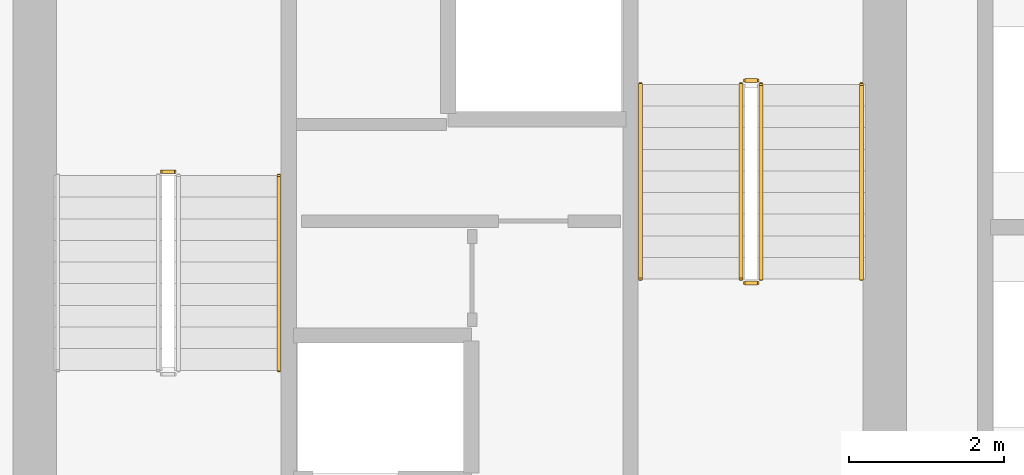
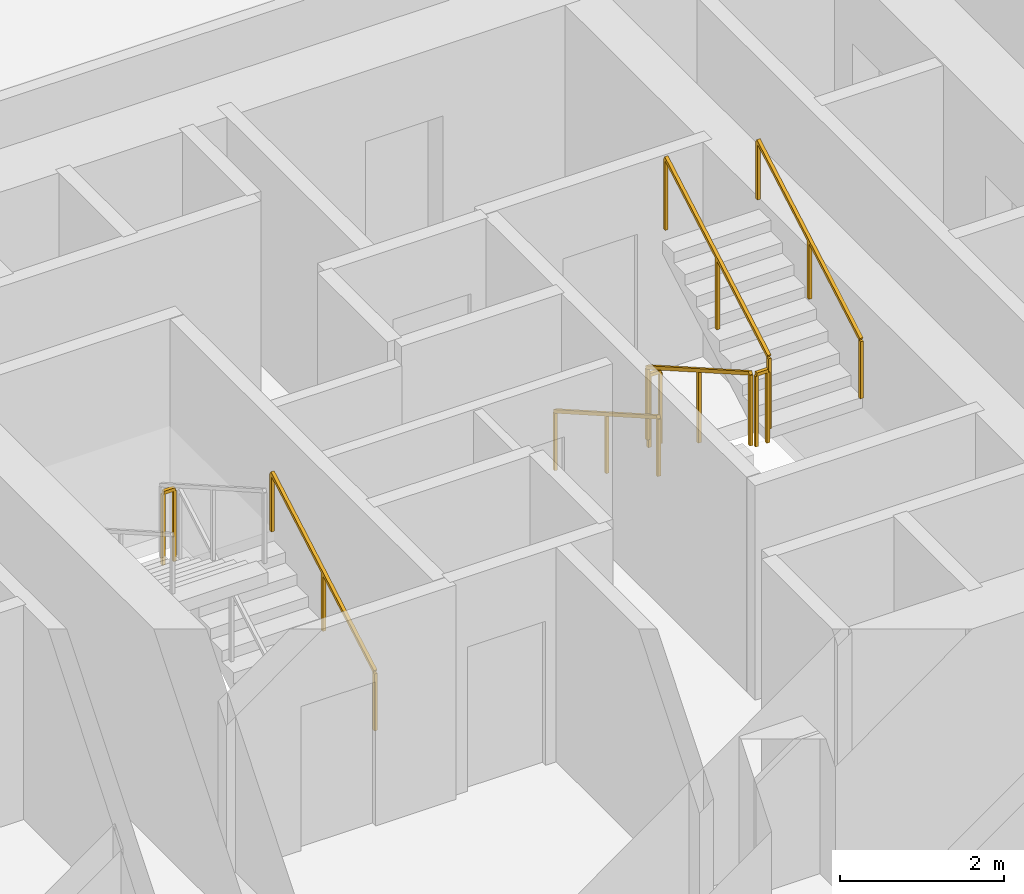
# One storey, part 12 of 13: 8 railings.
"""IFC4 building model written with IfcOpenShell, lengths in metres."""

import ifcopenshell
import ifcopenshell.guid

model = None  # the IFC model being written
_history = None  # IfcOwnerHistory: only IFC2X3 demands one
_inside = {}  # id of a spatial element -> (the spatial element, [elements in it])
_under = {}  # id of a project, library or spatial element -> (it, [spatial elements below it])
_declared = {}  # id of a project -> (the project, [libraries it declares])
_typed = {}  # id of a type object -> (the type object, [elements of that type])
_made_of = {}  # id of a material, layer set ... -> (it, [elements and type objects made of it])


def new_model(schema):
    """Start an empty IFC model of exactly this schema.

    Asked for "IFC4X3", IfcOpenShell would pick the latest addendum, in which some entities
    have other attributes; the version numbers below select the first issue.
    IFC2X3 requires an IfcOwnerHistory on every rooted entity: one is made here for all.
    """
    global model, _history
    if schema == "IFC4X3":
        model = ifcopenshell.file(schema_version=(4, 3, 0, 0))
    else:
        model = ifcopenshell.file(schema=schema)
    _inside.clear()
    _under.clear()
    _declared.clear()
    _typed.clear()
    _made_of.clear()
    _history = None
    if model.schema == "IFC2X3":
        org = make("IfcOrganization", Name="unknown")
        user = make(
            "IfcPersonAndOrganization",
            ThePerson=make("IfcPerson", FamilyName="unknown"),
            TheOrganization=org,
        )
        app = make(
            "IfcApplication",
            ApplicationDeveloper=org,
            Version="unknown",
            ApplicationFullName="unknown",
            ApplicationIdentifier="unknown",
        )
        _history = make(
            "IfcOwnerHistory",
            OwningUser=user,
            OwningApplication=app,
            ChangeAction="ADDED",
            CreationDate=0,
        )
    return model


def make(cls, **values):
    """One entity of the class cls with the attributes given. An attribute that is None is left unset."""
    return model.create_entity(
        cls, **{name: value for name, value in values.items() if value is not None}
    )


def rooted(cls, **values):
    """An entity with a GlobalId (a new one), such as an element, a storey or a relation."""
    return make(cls, GlobalId=ifcopenshell.guid.new(), OwnerHistory=_history, **values)


def si_unit(unit_type, name, prefix=None):
    """IfcSIUnit, for example si_unit("LENGTHUNIT", "METRE", prefix="MILLI")."""
    return make("IfcSIUnit", UnitType=unit_type, Prefix=prefix, Name=name)


def assignment(units):
    """IfcUnitAssignment: the units of a project."""
    return None if units is None else make("IfcUnitAssignment", Units=units)


def point(xyz):
    """IfcCartesianPoint."""
    return None if xyz is None else make("IfcCartesianPoint", Coordinates=xyz)


def direction(xyz):
    """IfcDirection."""
    return None if xyz is None else make("IfcDirection", DirectionRatios=xyz)


def frame(location, z_axis=None, x_axis=None):
    """IfcAxis2Placement3D, a coordinate frame: its origin and axes. An axis left out is left unset."""
    return make(
        "IfcAxis2Placement3D",
        Location=point(location),
        Axis=direction(z_axis),
        RefDirection=direction(x_axis),
    )


def frame_2d(location, x_axis=None):
    """IfcAxis2Placement2D, a coordinate frame in the plane: its origin and x axis."""
    return make(
        "IfcAxis2Placement2D", Location=point(location), RefDirection=direction(x_axis)
    )


def origin():
    """The frame at (0, 0, 0) with its axes left unset."""
    return frame((0.0, 0.0, 0.0))


def origin_2d():
    """The frame at (0, 0) in the plane with its x axis left unset."""
    return frame_2d((0.0, 0.0))


def place(relative_to, where):
    """IfcLocalPlacement: puts the frame where relative to a parent placement (None: the world)."""
    return make(
        "IfcLocalPlacement", PlacementRelTo=relative_to, RelativePlacement=where
    )


def context(
    kind, dimensions, precision=None, world=None, true_north=None, identifier=None
):
    """IfcGeometricRepresentationContext, for example the 3D "Model" context."""
    return make(
        "IfcGeometricRepresentationContext",
        ContextIdentifier=identifier,
        ContextType=kind,
        CoordinateSpaceDimension=dimensions,
        Precision=precision,
        WorldCoordinateSystem=world,
        TrueNorth=true_north,
    )


def subcontext(parent, identifier, kind, view, scale=None):
    """IfcGeometricRepresentationSubContext, for example "Body" below "Model"."""
    return make(
        "IfcGeometricRepresentationSubContext",
        ContextIdentifier=identifier,
        ContextType=kind,
        ParentContext=parent,
        TargetScale=scale,
        TargetView=view,
    )


def project(units=None, contexts=None):
    """IfcProject with its units and contexts."""
    return rooted(
        "IfcProject",
        Name="project",
        RepresentationContexts=contexts,
        UnitsInContext=assignment(units),
    )


def spatial(cls, under=None, at=None, **own):
    """A site, building, storey or space (cls), placed at a placement, below another one or the project."""
    s = rooted(cls, ObjectPlacement=at, **own)
    if under is not None:
        _under.setdefault(under.id(), (under, []))[1].append(s)
    return s


def profile(cls, at=None, kind="AREA", **sizes):
    """A parametric profile (cls). Its sizes go by their IFC names, for example OverallWidth=200.0."""
    return make(cls, ProfileType=kind, Position=at, **sizes)


def rectangle(**sizes):
    """IfcRectangleProfileDef."""
    return profile("IfcRectangleProfileDef", **sizes)


def extrude(swept, where, along, depth):
    """IfcExtrudedAreaSolid: the profile swept, set in the frame where, extruded along a direction by depth."""
    return make(
        "IfcExtrudedAreaSolid",
        SweptArea=swept,
        Position=where,
        ExtrudedDirection=direction(along),
        Depth=depth,
    )


def shape(context_of_items, identifier, shape_type, items):
    """IfcShapeRepresentation: the items that make up one representation, for example the "Body"."""
    return make(
        "IfcShapeRepresentation",
        ContextOfItems=context_of_items,
        RepresentationIdentifier=identifier,
        RepresentationType=shape_type,
        Items=items,
    )


def material(Name=None, Category=None):
    """IfcMaterial."""
    return make("IfcMaterial", Name=Name, Category=Category)


def made_of(thing, what):
    """Note that an element or type object is made of a material, layer set ...; save() writes the relation."""
    if what is not None:
        _made_of.setdefault(what.id(), (what, []))[1].append(thing)
    return thing


def type_object(cls, material=None, **own):
    """A type object (cls), such as IfcWallType, which elements share."""
    return made_of(rooted(cls, **own), material)


def element(
    cls,
    number,
    at=None,
    inside=None,
    cuts=None,
    type_object=None,
    material=None,
    context=None,
    identifier="Body",
    shape_type=None,
    held_by="IfcProductDefinitionShape",
    body=None,
    shapes=None,
    **own,
):
    """One element of the class cls, such as IfcWall. Its Tag is "e" and its number.

    at: its placement. inside: the storey or other place that contains it. cuts: it is an
    opening in that element (IfcRelVoidsElement). A single representation is given by context,
    identifier, shape_type and body (its items); several are given by shapes. held_by: the class
    of the entity that holds the representations. save() writes the other relations.
    """
    e = rooted(cls, Tag="e%d" % number, ObjectPlacement=at, **own)
    if body is not None:
        shapes = [shape(context, identifier, shape_type, body)]
    if shapes is not None:
        e.Representation = make(held_by, Representations=shapes)
    if inside is not None:
        _inside.setdefault(inside.id(), (inside, []))[1].append(e)
    if cuts is not None:
        rooted(
            "IfcRelVoidsElement", RelatingBuildingElement=cuts, RelatedOpeningElement=e
        )
    if type_object is not None:
        _typed.setdefault(type_object.id(), (type_object, []))[1].append(e)
    return made_of(e, material)


def aggregate(whole, parts):
    """IfcRelAggregates: a whole, such as a stair, and the parts it consists of."""
    return rooted("IfcRelAggregates", RelatingObject=whole, RelatedObjects=parts)


def save(model, path):
    """Write the relations noted so far, then the file.

    IfcRelAggregates (storeys below a building ...), IfcRelContainedInSpatialStructure (elements
    in a storey), IfcRelDefinesByType, IfcRelAssociatesMaterial and IfcRelDeclares: one each for
    every whole, place, type object, material and project.
    """
    for whole, parts in _under.values():
        aggregate(whole, parts)
    for where, things in _inside.values():
        rooted(
            "IfcRelContainedInSpatialStructure",
            RelatedElements=things,
            RelatingStructure=where,
        )
    for kind, things in _typed.values():
        rooted("IfcRelDefinesByType", RelatedObjects=things, RelatingType=kind)
    for what, things in _made_of.values():
        rooted("IfcRelAssociatesMaterial", RelatedObjects=things, RelatingMaterial=what)
    for by, libraries in _declared.values():
        rooted("IfcRelDeclares", RelatingContext=by, RelatedDefinitions=libraries)
    model.write(path)


model = new_model("IFC4")

# Units and contexts
model_context = context("Model", 3, precision=1e-05, world=origin(), true_north=direction((0.0, 1.0)))
body_context = subcontext(model_context, "Body", "Model", "MODEL_VIEW")
ifc_project = project(units=[si_unit("LENGTHUNIT", "METRE"), si_unit("AREAUNIT", "SQUARE_METRE"), si_unit("VOLUMEUNIT", "CUBIC_METRE"), si_unit("PLANEANGLEUNIT", "RADIAN"), si_unit("MASSUNIT", "GRAM", prefix="KILO")], contexts=[model_context])

# Site, building, storey
site_placement = place(None, origin())
site = spatial("IfcSite", under=ifc_project, at=site_placement, CompositionType="ELEMENT")
building_placement = place(site_placement, origin())
building = spatial("IfcBuilding", under=site, at=building_placement, Name="Veldorim Arch Residences", CompositionType="ELEMENT")
storey_placement = place(building_placement, frame((0.0, 0.0, 60.0)))
storey = spatial("IfcBuildingStorey", under=building, at=storey_placement, Name="L17", CompositionType="ELEMENT", Elevation=60.0)

# Railings
ifc_material_1 = material(Name="Steel S355", Category="steel")
railing_type_1 = type_object("IfcRailingType", Name="Galvanised Steel Stair Safety Guardrail 1100", PredefinedType="GUARDRAIL", material=ifc_material_1)
railing_1_placement = place(storey_placement, frame((28.31005859375, 24.719970703125, 1.60009765625)))
element("IfcRailing", 1, at=railing_1_placement, inside=storey, type_object=railing_type_1, Name="L17 ST-1 stair guard 2", PredefinedType="GUARDRAIL", context=body_context, shape_type="SweptSolid", body=[
    extrude(rectangle(XDim=0.048095703125, YDim=0.048095703125, at=origin_2d()), frame((0.0, 0.0, 1.076171875), z_axis=(-1.0, 0.0, 0.0), x_axis=(0.0, -1.0, 0.0)), (0.0, 0.0, 1.0), 0.16015625),
    extrude(rectangle(XDim=0.0419921875, YDim=0.0419921875, at=origin_2d()), origin(), (0.0, 0.0, 1.0), 1.052001953125),
    extrude(rectangle(XDim=0.0419921875, YDim=0.0419921875, at=origin_2d()), frame((-0.16015625, 0.0, 0.0)), (0.0, 0.0, 1.0), 1.052001953125),
])
railing_2_placement = place(storey_placement, frame((35.639892578125, 25.85009765625, 0.159912109375)))
element("IfcRailing", 2, at=railing_2_placement, inside=storey, type_object=railing_type_1, Name="L17 ST-2 stair guard 1", PredefinedType="GUARDRAIL", context=body_context, shape_type="SweptSolid", body=[
    extrude(rectangle(XDim=0.048095703125, YDim=0.048095703125, at=origin_2d()), frame((0.0, 0.0, 1.076171875), z_axis=(0.0, -0.868217259934, 0.496184229447), x_axis=(1.0, 0.0, 0.0)), (0.0, 0.0, 1.0), 2.902587890625),
    extrude(rectangle(XDim=0.0419921875, YDim=0.0419921875, at=origin_2d()), origin(), (0.0, 0.0, 1.0), 1.052001953125),
    extrude(rectangle(XDim=0.0419921875, YDim=0.0419921875, at=origin_2d()), frame((0.0, -1.260009765625, 0.72021484375)), (0.0, 0.0, 1.0), 1.052001953125),
    extrude(rectangle(XDim=0.0419921875, YDim=0.0419921875, at=origin_2d()), frame((0.0, -2.52001953125, 1.440185546875)), (0.0, 0.0, 1.0), 1.052001953125),
])
railing_3_placement = place(storey_placement, frame((35.68994140625, 23.280029296875, 1.60009765625)))
element("IfcRailing", 3, at=railing_3_placement, inside=storey, type_object=railing_type_1, Name="L17 ST-2 stair guard 2", PredefinedType="GUARDRAIL", context=body_context, shape_type="SweptSolid", body=[
    extrude(rectangle(XDim=0.048095703125, YDim=0.048095703125, at=origin_2d()), frame((0.0, 0.0, 1.076171875), z_axis=(1.0, 0.0, 0.0), x_axis=(0.0, 1.0, 0.0)), (0.0, 0.0, 1.0), 0.16015625),
    extrude(rectangle(XDim=0.0419921875, YDim=0.0419921875, at=origin_2d()), origin(), (0.0, 0.0, 1.0), 1.052001953125),
    extrude(rectangle(XDim=0.0419921875, YDim=0.0419921875, at=origin_2d()), frame((0.16015625, 0.0, 0.0)), (0.0, 0.0, 1.0), 1.052001953125),
])
railing_4_placement = place(storey_placement, frame((35.89990234375, 23.330078125, 1.760009765625)))
element("IfcRailing", 4, at=railing_4_placement, inside=storey, type_object=railing_type_1, Name="L17 ST-2 stair guard 3", PredefinedType="GUARDRAIL", context=body_context, shape_type="SweptSolid", body=[
    extrude(rectangle(XDim=0.048095703125, YDim=0.048095703125, at=origin_2d()), frame((0.0, 0.0, 1.076171875), z_axis=(0.0, 0.868253494771, 0.496120820787), x_axis=(-1.0, 0.0, 0.0)), (0.0, 0.0, 1.0), 2.90234375),
    extrude(rectangle(XDim=0.0419921875, YDim=0.0419921875, at=origin_2d()), origin(), (0.0, 0.0, 1.0), 1.052001953125),
    extrude(rectangle(XDim=0.0419921875, YDim=0.0419921875, at=origin_2d()), frame((0.0, 1.260009765625, 0.719970703125)), (0.0, 0.0, 1.0), 1.052001953125),
    extrude(rectangle(XDim=0.0419921875, YDim=0.0419921875, at=origin_2d()), frame((0.0, 2.52001953125, 1.43994140625)), (0.0, 0.0, 1.0), 1.052001953125),
])
railing_5_placement = place(storey_placement, frame((35.68994140625, 25.89990234375, 0.0)))
element("IfcRailing", 5, at=railing_5_placement, inside=storey, type_object=railing_type_1, Name="L17 ST-2 stair guard 4", PredefinedType="GUARDRAIL", context=body_context, shape_type="SweptSolid", body=[
    extrude(rectangle(XDim=0.048095703125, YDim=0.048095703125, at=origin_2d()), frame((0.0, 0.0, 1.076171875), z_axis=(1.0, 0.0, 0.0), x_axis=(0.0, 1.0, 0.0)), (0.0, 0.0, 1.0), 0.16015625),
    extrude(rectangle(XDim=0.0419921875, YDim=0.0419921875, at=origin_2d()), origin(), (0.0, 0.0, 1.0), 1.052001953125),
    extrude(rectangle(XDim=0.0419921875, YDim=0.0419921875, at=origin_2d()), frame((0.16015625, 0.0, 0.0)), (0.0, 0.0, 1.0), 1.052001953125),
])
ifc_material_2 = material(Name="Stainless Steel", Category="steel")
railing_type_2 = type_object("IfcRailingType", Name="Tubular Steel Continuous Wall Handrail 900", PredefinedType="HANDRAIL", material=ifc_material_2)
railing_6_placement = place(storey_placement, frame((29.659912109375, 22.14990234375, 0.159912109375)))
element("IfcRailing", 6, at=railing_6_placement, inside=storey, type_object=railing_type_2, Name="L17 ST-1 stair handrail 1", PredefinedType="HANDRAIL", context=body_context, shape_type="SweptSolid", body=[
    extrude(rectangle(XDim=0.048095703125, YDim=0.048095703125, at=origin_2d()), frame((0.0, 0.0, 0.8759765625), z_axis=(0.0, 0.868217259934, 0.496184229447), x_axis=(-1.0, 0.0, 0.0)), (0.0, 0.0, 1.0), 2.902587890625),
    extrude(rectangle(XDim=0.0419921875, YDim=0.0419921875, at=origin_2d()), origin(), (0.0, 0.0, 1.0), 0.851806640625),
    extrude(rectangle(XDim=0.0419921875, YDim=0.0419921875, at=origin_2d()), frame((0.0, 1.260009765625, 0.72021484375)), (0.0, 0.0, 1.0), 0.851806640625),
    extrude(rectangle(XDim=0.0419921875, YDim=0.0419921875, at=origin_2d()), frame((0.0, 2.52001953125, 1.440185546875)), (0.0, 0.0, 1.0), 0.851806640625),
])
railing_7_placement = place(storey_placement, frame((34.340087890625, 25.85009765625, 0.159912109375)))
element("IfcRailing", 7, at=railing_7_placement, inside=storey, type_object=railing_type_2, Name="L17 ST-2 stair handrail 1", PredefinedType="HANDRAIL", context=body_context, shape_type="SweptSolid", body=[
    extrude(rectangle(XDim=0.048095703125, YDim=0.048095703125, at=origin_2d()), frame((0.0, 0.0, 0.8759765625), z_axis=(0.0, -0.868217259934, 0.496184229447), x_axis=(1.0, 0.0, 0.0)), (0.0, 0.0, 1.0), 2.902587890625),
    extrude(rectangle(XDim=0.0419921875, YDim=0.0419921875, at=origin_2d()), origin(), (0.0, 0.0, 1.0), 0.851806640625),
    extrude(rectangle(XDim=0.0419921875, YDim=0.0419921875, at=origin_2d()), frame((0.0, -1.260009765625, 0.72021484375)), (0.0, 0.0, 1.0), 0.851806640625),
    extrude(rectangle(XDim=0.0419921875, YDim=0.0419921875, at=origin_2d()), frame((0.0, -2.52001953125, 1.440185546875)), (0.0, 0.0, 1.0), 0.851806640625),
])
railing_8_placement = place(storey_placement, frame((37.199951171875, 23.330078125, 1.760009765625)))
element("IfcRailing", 8, at=railing_8_placement, inside=storey, type_object=railing_type_2, Name="L17 ST-2 stair handrail 2", PredefinedType="HANDRAIL", context=body_context, shape_type="SweptSolid", body=[
    extrude(rectangle(XDim=0.048095703125, YDim=0.048095703125, at=origin_2d()), frame((0.0, 0.0, 0.8759765625), z_axis=(0.0, 0.868253494771, 0.496120820787), x_axis=(-1.0, 0.0, 0.0)), (0.0, 0.0, 1.0), 2.90234375),
    extrude(rectangle(XDim=0.0419921875, YDim=0.0419921875, at=origin_2d()), origin(), (0.0, 0.0, 1.0), 0.851806640625),
    extrude(rectangle(XDim=0.0419921875, YDim=0.0419921875, at=origin_2d()), frame((0.0, 1.260009765625, 0.719970703125)), (0.0, 0.0, 1.0), 0.851806640625),
    extrude(rectangle(XDim=0.0419921875, YDim=0.0419921875, at=origin_2d()), frame((0.0, 2.52001953125, 1.43994140625)), (0.0, 0.0, 1.0), 0.851806640625),
])

save(model, "model.ifc")
